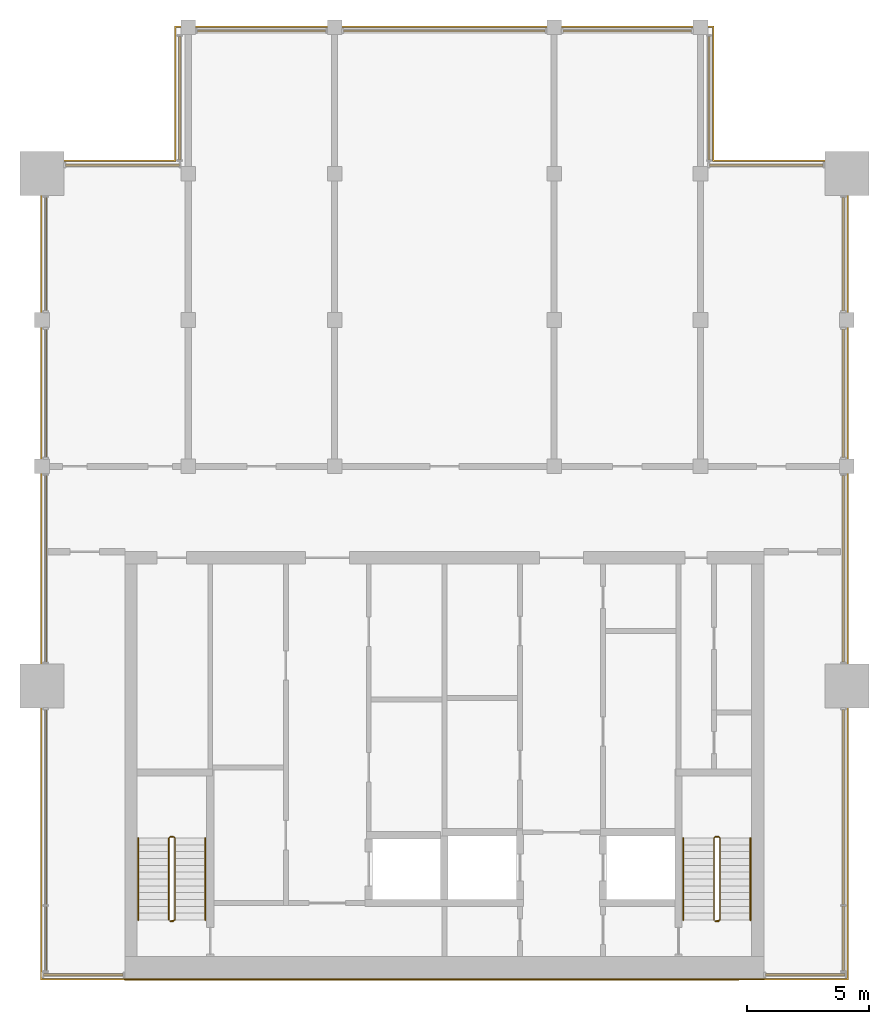
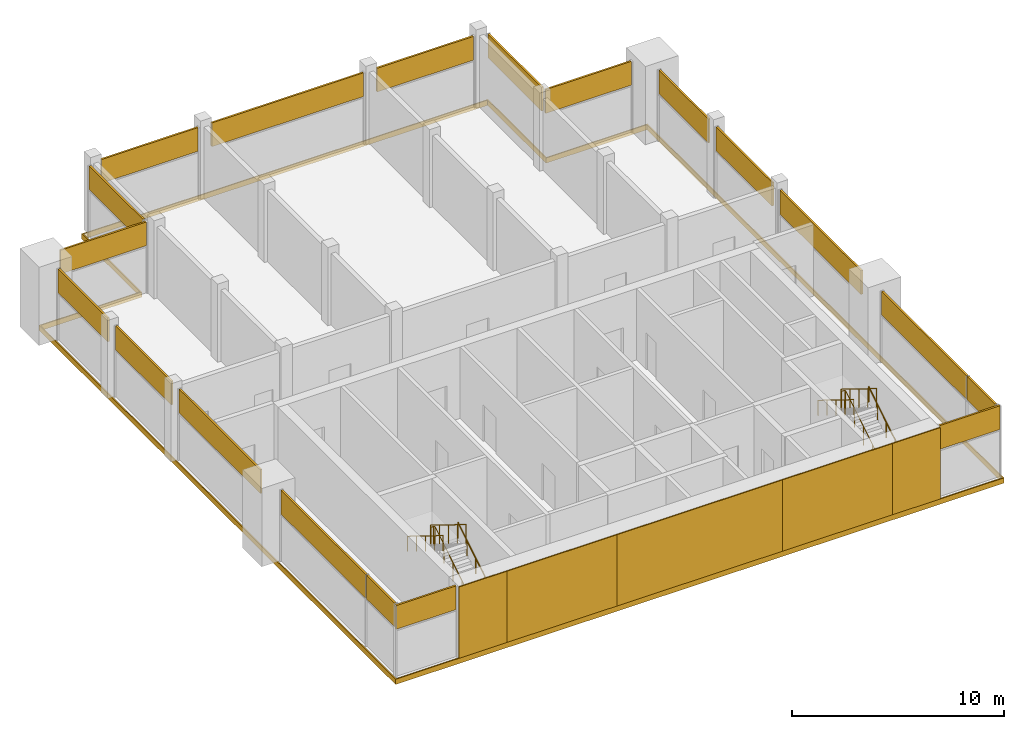
# One storey, part 9 of 9: 19 shading devices, 6 coverings, 6 railings, 17 elements without a shape of their own.
"""IFC4 building model written with IfcOpenShell, lengths in metres."""

from ifc_helpers import new_model, si_unit, direction, frame, origin, origin_2d, place, context, subcontext, project, spatial, polyline, rectangle, circle, outline, extrude, material, layer, layer_set, type_object, element, aggregate, save


model = new_model("IFC4")

# Units and contexts
model_context = context("Model", 3, precision=1e-05, world=origin(), true_north=direction((0.0, 1.0)))
body_context = subcontext(model_context, "Body", "Model", "MODEL_VIEW")
ifc_project = project(units=[si_unit("LENGTHUNIT", "METRE"), si_unit("AREAUNIT", "SQUARE_METRE"), si_unit("VOLUMEUNIT", "CUBIC_METRE"), si_unit("PLANEANGLEUNIT", "RADIAN"), si_unit("MASSUNIT", "GRAM", prefix="KILO")], contexts=[model_context])

# Site, building, storey
site_placement = place(None, origin())
site = spatial("IfcSite", under=ifc_project, at=site_placement, CompositionType="ELEMENT")
building_placement = place(site_placement, origin())
building = spatial("IfcBuilding", under=site, at=building_placement, Name="Finial Court Residences", CompositionType="ELEMENT")
storey_placement = place(building_placement, frame((0.0, 0.0, 307.699951171875)))
storey = spatial("IfcBuildingStorey", under=building, at=storey_placement, Name="L78", CompositionType="ELEMENT", Elevation=307.699951171875)

# Curtain wall, shading device
ifc_material_1 = material(Name="Bronze anodised aluminium", Category="aluminium")
curtain_wall_type = type_object("IfcCurtainWallType", Name="Crown lantern glazing", PredefinedType="NOTDEFINED", material=ifc_material_1)
curtain_wall_1_placement = place(storey_placement, origin())
curtain_wall_1 = element("IfcCurtainWall", 1, at=curtain_wall_1_placement, inside=storey, type_object=curtain_wall_type, Name="E-L78-CW-N1c1", PredefinedType="NOTDEFINED")
ifc_layer_1 = layer(ifc_material_1, 0.10009765625)
ifc_layer_set_1 = layer_set([ifc_layer_1], Name="CW6 louvre panel 100")
shading_device_type = type_object("IfcShadingDeviceType", Name="CW6 louvre panel 100", PredefinedType="USERDEFINED", material=ifc_layer_set_1)
shading_device_1_placement = place(storey_placement, frame((-7.5, 13.35009765625, 2.73486328125), z_axis=(0.0, 0.0, 1.0), x_axis=(1.0, 0.0, 0.0)))
shading_device_1 = element("IfcShadingDevice", 2, at=shading_device_1_placement, type_object=shading_device_type, Name="CW6 louvre 1.2", ObjectType="LOUVRE", PredefinedType="USERDEFINED", context=body_context, shape_type="SweptSolid", body=[
    extrude(rectangle(XDim=5.260009765625, YDim=0.10009765625, at=origin_2d()), origin(), (0.0, 0.0, 1.0), 1.364990234375),
])
aggregate(curtain_wall_1, [shading_device_1])

curtain_wall_2_placement = place(storey_placement, origin())
curtain_wall_2 = element("IfcCurtainWall", 3, at=curtain_wall_2_placement, inside=storey, type_object=curtain_wall_type, Name="E-L78-CW-N1c2", PredefinedType="NOTDEFINED")
shading_device_2_placement = place(storey_placement, frame((0.0, 13.35009765625, 2.73486328125), z_axis=(0.0, 0.0, 1.0), x_axis=(1.0, 0.0, 0.0)))
shading_device_2 = element("IfcShadingDevice", 4, at=shading_device_2_placement, type_object=shading_device_type, Name="CW6 louvre 1.2", ObjectType="LOUVRE", PredefinedType="USERDEFINED", context=body_context, shape_type="SweptSolid", body=[
    extrude(rectangle(XDim=8.260009765625, YDim=0.10009765625, at=origin_2d()), origin(), (0.0, 0.0, 1.0), 1.364990234375),
])
aggregate(curtain_wall_2, [shading_device_2])

curtain_wall_3_placement = place(storey_placement, origin())
curtain_wall_3 = element("IfcCurtainWall", 5, at=curtain_wall_3_placement, inside=storey, type_object=curtain_wall_type, Name="E-L78-CW-N1c3", PredefinedType="NOTDEFINED")
shading_device_3_placement = place(storey_placement, frame((7.5, 13.35009765625, 2.73486328125), z_axis=(0.0, 0.0, 1.0), x_axis=(1.0, 0.0, 0.0)))
shading_device_3 = element("IfcShadingDevice", 6, at=shading_device_3_placement, type_object=shading_device_type, Name="CW6 louvre 1.2", ObjectType="LOUVRE", PredefinedType="USERDEFINED", context=body_context, shape_type="SweptSolid", body=[
    extrude(rectangle(XDim=5.260009765625, YDim=0.10009765625, at=origin_2d()), origin(), (0.0, 0.0, 1.0), 1.364990234375),
])
aggregate(curtain_wall_3, [shading_device_3])

# Curtain wall, shading devices
curtain_wall_4_placement = place(storey_placement, origin())
curtain_wall_4 = element("IfcCurtainWall", 7, at=curtain_wall_4_placement, inside=storey, type_object=curtain_wall_type, Name="E-L78-CW-E2c1", PredefinedType="NOTDEFINED")
shading_device_4_placement = place(storey_placement, frame((16.35009765625, -23.857421875, 2.73486328125), z_axis=(0.0, 0.0, 1.0), x_axis=(0.0, 1.0, 0.0)))
shading_device_4 = element("IfcShadingDevice", 8, at=shading_device_4_placement, type_object=shading_device_type, Name="CW6 louvre 1.2", ObjectType="LOUVRE", PredefinedType="USERDEFINED", context=body_context, shape_type="SweptSolid", body=[
    extrude(rectangle(XDim=2.64501953125, YDim=0.10009765625, at=origin_2d()), origin(), (0.0, 0.0, 1.0), 1.364990234375),
])
shading_device_5_placement = place(storey_placement, frame((16.35009765625, -18.467529296875, 2.73486328125), z_axis=(0.0, 0.0, 1.0), x_axis=(0.0, 1.0, 0.0)))
shading_device_5 = element("IfcShadingDevice", 9, at=shading_device_5_placement, type_object=shading_device_type, Name="CW6 louvre 2.2", ObjectType="LOUVRE", PredefinedType="USERDEFINED", context=body_context, shape_type="SweptSolid", body=[
    extrude(rectangle(XDim=7.9951171875, YDim=0.10009765625, at=origin_2d()), origin(), (0.0, 0.0, 1.0), 1.364990234375),
])
aggregate(curtain_wall_4, [shading_device_4, shading_device_5])

# Curtain wall, shading device
curtain_wall_5_placement = place(storey_placement, origin())
curtain_wall_5 = element("IfcCurtainWall", 10, at=curtain_wall_5_placement, inside=storey, type_object=curtain_wall_type, Name="E-L78-CW-E2c2", PredefinedType="NOTDEFINED")
shading_device_6_placement = place(storey_placement, frame((16.35009765625, -8.699951171875, 2.73486328125), z_axis=(0.0, 0.0, 1.0), x_axis=(0.0, 1.0, 0.0)))
shading_device_6 = element("IfcShadingDevice", 11, at=shading_device_6_placement, type_object=shading_device_type, Name="CW6 louvre 1.2", ObjectType="LOUVRE", PredefinedType="USERDEFINED", context=body_context, shape_type="SweptSolid", body=[
    extrude(rectangle(XDim=7.659912109375, YDim=0.10009765625, at=origin_2d()), origin(), (0.0, 0.0, 1.0), 1.364990234375),
])
aggregate(curtain_wall_5, [shading_device_6])

curtain_wall_6_placement = place(storey_placement, origin())
curtain_wall_6 = element("IfcCurtainWall", 12, at=curtain_wall_6_placement, inside=storey, type_object=curtain_wall_type, Name="E-L78-CW-E2c3", PredefinedType="NOTDEFINED")
shading_device_7_placement = place(storey_placement, frame((16.35009765625, -1.5, 2.73486328125), z_axis=(0.0, 0.0, 1.0), x_axis=(0.0, 1.0, 0.0)))
shading_device_7 = element("IfcShadingDevice", 13, at=shading_device_7_placement, type_object=shading_device_type, Name="CW6 louvre 1.2", ObjectType="LOUVRE", PredefinedType="USERDEFINED", context=body_context, shape_type="SweptSolid", body=[
    extrude(rectangle(XDim=5.260009765625, YDim=0.10009765625, at=origin_2d()), origin(), (0.0, 0.0, 1.0), 1.364990234375),
])
aggregate(curtain_wall_6, [shading_device_7])

curtain_wall_7_placement = place(storey_placement, origin())
curtain_wall_7 = element("IfcCurtainWall", 14, at=curtain_wall_7_placement, inside=storey, type_object=curtain_wall_type, Name="E-L78-CW-E2c4", PredefinedType="NOTDEFINED")
shading_device_8_placement = place(storey_placement, frame((16.35009765625, 4.199951171875, 2.73486328125), z_axis=(0.0, 0.0, 1.0), x_axis=(0.0, 1.0, 0.0)))
shading_device_8 = element("IfcShadingDevice", 15, at=shading_device_8_placement, type_object=shading_device_type, Name="CW6 louvre 1.2", ObjectType="LOUVRE", PredefinedType="USERDEFINED", context=body_context, shape_type="SweptSolid", body=[
    extrude(rectangle(XDim=4.659912109375, YDim=0.10009765625, at=origin_2d()), origin(), (0.0, 0.0, 1.0), 1.364990234375),
])
aggregate(curtain_wall_7, [shading_device_8])

curtain_wall_8_placement = place(storey_placement, origin())
curtain_wall_8 = element("IfcCurtainWall", 16, at=curtain_wall_8_placement, inside=storey, type_object=curtain_wall_type, Name="E-L78-CW-S3", PredefinedType="NOTDEFINED")
shading_device_9_placement = place(storey_placement, frame((-14.800048828125, -25.35009765625, 2.73486328125), z_axis=(0.0, 0.0, 1.0), x_axis=(1.0, 0.0, 0.0)))
shading_device_9 = element("IfcShadingDevice", 17, at=shading_device_9_placement, type_object=shading_device_type, Name="CW6 louvre 1.2", ObjectType="LOUVRE", PredefinedType="USERDEFINED", context=body_context, shape_type="SweptSolid", body=[
    extrude(rectangle(XDim=3.260009765625, YDim=0.10009765625, at=origin_2d()), origin(), (0.0, 0.0, 1.0), 1.364990234375),
])
aggregate(curtain_wall_8, [shading_device_9])

curtain_wall_9_placement = place(storey_placement, origin())
curtain_wall_9 = element("IfcCurtainWall", 18, at=curtain_wall_9_placement, inside=storey, type_object=curtain_wall_type, Name="E-L78-CW-S4", PredefinedType="NOTDEFINED")
shading_device_10_placement = place(storey_placement, frame((14.800048828125, -25.35009765625, 2.73486328125), z_axis=(0.0, 0.0, 1.0), x_axis=(1.0, 0.0, 0.0)))
shading_device_10 = element("IfcShadingDevice", 19, at=shading_device_10_placement, type_object=shading_device_type, Name="CW6 louvre 1.2", ObjectType="LOUVRE", PredefinedType="USERDEFINED", context=body_context, shape_type="SweptSolid", body=[
    extrude(rectangle(XDim=3.260009765625, YDim=0.10009765625, at=origin_2d()), origin(), (0.0, 0.0, 1.0), 1.364990234375),
])
aggregate(curtain_wall_9, [shading_device_10])

# Curtain wall, shading devices
curtain_wall_10_placement = place(storey_placement, origin())
curtain_wall_10 = element("IfcCurtainWall", 20, at=curtain_wall_10_placement, inside=storey, type_object=curtain_wall_type, Name="E-L78-CW-W5c1", PredefinedType="NOTDEFINED")
shading_device_11_placement = place(storey_placement, frame((-16.35009765625, -23.857421875, 2.73486328125), z_axis=(0.0, 0.0, 1.0), x_axis=(0.0, 1.0, 0.0)))
shading_device_11 = element("IfcShadingDevice", 21, at=shading_device_11_placement, type_object=shading_device_type, Name="CW6 louvre 1.2", ObjectType="LOUVRE", PredefinedType="USERDEFINED", context=body_context, shape_type="SweptSolid", body=[
    extrude(rectangle(XDim=2.64501953125, YDim=0.10009765625, at=origin_2d()), origin(), (0.0, 0.0, 1.0), 1.364990234375),
])
shading_device_12_placement = place(storey_placement, frame((-16.35009765625, -18.467529296875, 2.73486328125), z_axis=(0.0, 0.0, 1.0), x_axis=(0.0, 1.0, 0.0)))
shading_device_12 = element("IfcShadingDevice", 22, at=shading_device_12_placement, type_object=shading_device_type, Name="CW6 louvre 2.2", ObjectType="LOUVRE", PredefinedType="USERDEFINED", context=body_context, shape_type="SweptSolid", body=[
    extrude(rectangle(XDim=7.9951171875, YDim=0.10009765625, at=origin_2d()), origin(), (0.0, 0.0, 1.0), 1.364990234375),
])
aggregate(curtain_wall_10, [shading_device_11, shading_device_12])

# Curtain wall, shading device
curtain_wall_11_placement = place(storey_placement, origin())
curtain_wall_11 = element("IfcCurtainWall", 23, at=curtain_wall_11_placement, inside=storey, type_object=curtain_wall_type, Name="E-L78-CW-W5c2", PredefinedType="NOTDEFINED")
shading_device_13_placement = place(storey_placement, frame((-16.35009765625, -8.699951171875, 2.73486328125), z_axis=(0.0, 0.0, 1.0), x_axis=(0.0, 1.0, 0.0)))
shading_device_13 = element("IfcShadingDevice", 24, at=shading_device_13_placement, type_object=shading_device_type, Name="CW6 louvre 1.2", ObjectType="LOUVRE", PredefinedType="USERDEFINED", context=body_context, shape_type="SweptSolid", body=[
    extrude(rectangle(XDim=7.659912109375, YDim=0.10009765625, at=origin_2d()), origin(), (0.0, 0.0, 1.0), 1.364990234375),
])
aggregate(curtain_wall_11, [shading_device_13])

curtain_wall_12_placement = place(storey_placement, origin())
curtain_wall_12 = element("IfcCurtainWall", 25, at=curtain_wall_12_placement, inside=storey, type_object=curtain_wall_type, Name="E-L78-CW-W5c3", PredefinedType="NOTDEFINED")
shading_device_14_placement = place(storey_placement, frame((-16.35009765625, -1.5, 2.73486328125), z_axis=(0.0, 0.0, 1.0), x_axis=(0.0, 1.0, 0.0)))
shading_device_14 = element("IfcShadingDevice", 26, at=shading_device_14_placement, type_object=shading_device_type, Name="CW6 louvre 1.2", ObjectType="LOUVRE", PredefinedType="USERDEFINED", context=body_context, shape_type="SweptSolid", body=[
    extrude(rectangle(XDim=5.260009765625, YDim=0.10009765625, at=origin_2d()), origin(), (0.0, 0.0, 1.0), 1.364990234375),
])
aggregate(curtain_wall_12, [shading_device_14])

curtain_wall_13_placement = place(storey_placement, origin())
curtain_wall_13 = element("IfcCurtainWall", 27, at=curtain_wall_13_placement, inside=storey, type_object=curtain_wall_type, Name="E-L78-CW-W5c4", PredefinedType="NOTDEFINED")
shading_device_15_placement = place(storey_placement, frame((-16.35009765625, 4.199951171875, 2.73486328125), z_axis=(0.0, 0.0, 1.0), x_axis=(0.0, 1.0, 0.0)))
shading_device_15 = element("IfcShadingDevice", 28, at=shading_device_15_placement, type_object=shading_device_type, Name="CW6 louvre 1.2", ObjectType="LOUVRE", PredefinedType="USERDEFINED", context=body_context, shape_type="SweptSolid", body=[
    extrude(rectangle(XDim=4.659912109375, YDim=0.10009765625, at=origin_2d()), origin(), (0.0, 0.0, 1.0), 1.364990234375),
])
aggregate(curtain_wall_13, [shading_device_15])

curtain_wall_14_placement = place(storey_placement, origin())
curtain_wall_14 = element("IfcCurtainWall", 29, at=curtain_wall_14_placement, inside=storey, type_object=curtain_wall_type, Name="E-L78-CW-W6nc1", PredefinedType="NOTDEFINED")
shading_device_16_placement = place(storey_placement, frame((-10.85009765625, 10.60009765625, 2.73486328125), z_axis=(0.0, 0.0, 1.0), x_axis=(0.0, 1.0, 0.0)))
shading_device_16 = element("IfcShadingDevice", 30, at=shading_device_16_placement, type_object=shading_device_type, Name="CW6 louvre 1.2", ObjectType="LOUVRE", PredefinedType="USERDEFINED", context=body_context, shape_type="SweptSolid", body=[
    extrude(rectangle(XDim=5.06005859375, YDim=0.10009765625, at=origin_2d()), origin(), (0.0, 0.0, 1.0), 1.364990234375),
])
aggregate(curtain_wall_14, [shading_device_16])

curtain_wall_15_placement = place(storey_placement, origin())
curtain_wall_15 = element("IfcCurtainWall", 31, at=curtain_wall_15_placement, inside=storey, type_object=curtain_wall_type, Name="E-L78-CW-N7nc1", PredefinedType="NOTDEFINED")
shading_device_17_placement = place(storey_placement, frame((-13.199951171875, 7.85009765625, 2.73486328125), z_axis=(0.0, 0.0, 1.0), x_axis=(1.0, 0.0, 0.0)))
shading_device_17 = element("IfcShadingDevice", 32, at=shading_device_17_placement, type_object=shading_device_type, Name="CW6 louvre 1.2", ObjectType="LOUVRE", PredefinedType="USERDEFINED", context=body_context, shape_type="SweptSolid", body=[
    extrude(rectangle(XDim=4.659912109375, YDim=0.10009765625, at=origin_2d()), origin(), (0.0, 0.0, 1.0), 1.364990234375),
])
aggregate(curtain_wall_15, [shading_device_17])

curtain_wall_16_placement = place(storey_placement, origin())
curtain_wall_16 = element("IfcCurtainWall", 33, at=curtain_wall_16_placement, inside=storey, type_object=curtain_wall_type, Name="E-L78-CW-E8nc1", PredefinedType="NOTDEFINED")
shading_device_18_placement = place(storey_placement, frame((10.85009765625, 10.60009765625, 2.73486328125), z_axis=(0.0, 0.0, 1.0), x_axis=(0.0, 1.0, 0.0)))
shading_device_18 = element("IfcShadingDevice", 34, at=shading_device_18_placement, type_object=shading_device_type, Name="CW6 louvre 1.2", ObjectType="LOUVRE", PredefinedType="USERDEFINED", context=body_context, shape_type="SweptSolid", body=[
    extrude(rectangle(XDim=5.06005859375, YDim=0.10009765625, at=origin_2d()), origin(), (0.0, 0.0, 1.0), 1.364990234375),
])
aggregate(curtain_wall_16, [shading_device_18])

curtain_wall_17_placement = place(storey_placement, origin())
curtain_wall_17 = element("IfcCurtainWall", 35, at=curtain_wall_17_placement, inside=storey, type_object=curtain_wall_type, Name="E-L78-CW-N9nc1", PredefinedType="NOTDEFINED")
shading_device_19_placement = place(storey_placement, frame((13.199951171875, 7.85009765625, 2.73486328125), z_axis=(0.0, 0.0, 1.0), x_axis=(1.0, 0.0, 0.0)))
shading_device_19 = element("IfcShadingDevice", 36, at=shading_device_19_placement, type_object=shading_device_type, Name="CW6 louvre 1.2", ObjectType="LOUVRE", PredefinedType="USERDEFINED", context=body_context, shape_type="SweptSolid", body=[
    extrude(rectangle(XDim=4.659912109375, YDim=0.10009765625, at=origin_2d()), origin(), (0.0, 0.0, 1.0), 1.364990234375),
])
aggregate(curtain_wall_17, [shading_device_19])

# Coverings
ifc_material_2 = material(Name="Natural limestone", Category="masonry")
ifc_layer_2 = layer(ifc_material_2, 0.06005859375)
ifc_layer_set_2 = layer_set([ifc_layer_2], Name="Limestone cladding to the blind core face 60")
covering_type_1 = type_object("IfcCoveringType", Name="Limestone cladding to the blind core face 60", PredefinedType="CLADDING", material=ifc_layer_set_2)
covering_1_placement = place(storey_placement, origin())
element("IfcCovering", 37, at=covering_1_placement, inside=storey, type_object=covering_type_1, Name="E-L78-CLAD1", PredefinedType="CLADDING", context=body_context, shape_type="SweptSolid", body=[
    extrude(outline(polyline([(-10.5, -25.56005859375), (-10.5, -25.5), (-13.10009765625, -25.5), (-13.10009765625, -25.56005859375), (-10.5, -25.56005859375)])), origin(), (0.0, 0.0, 1.0), 4.10009765625),
])
covering_2_placement = place(storey_placement, origin())
element("IfcCovering", 38, at=covering_2_placement, inside=storey, type_object=covering_type_1, Name="E-L78-CLAD2", PredefinedType="CLADDING", context=body_context, shape_type="SweptSolid", body=[
    extrude(outline(polyline([(-4.5, -25.56005859375), (-4.5, -25.5), (-10.5, -25.5), (-10.5, -25.56005859375), (-4.5, -25.56005859375)])), origin(), (0.0, 0.0, 1.0), 4.10009765625),
])
covering_3_placement = place(storey_placement, origin())
element("IfcCovering", 39, at=covering_3_placement, inside=storey, type_object=covering_type_1, Name="E-L78-CLAD3", PredefinedType="CLADDING", context=body_context, shape_type="SweptSolid", body=[
    extrude(outline(polyline([(4.5, -25.56005859375), (4.5, -25.5), (-4.5, -25.5), (-4.5, -25.56005859375), (4.5, -25.56005859375)])), origin(), (0.0, 0.0, 1.0), 4.10009765625),
])
covering_4_placement = place(storey_placement, origin())
element("IfcCovering", 40, at=covering_4_placement, inside=storey, type_object=covering_type_1, Name="E-L78-CLAD4", PredefinedType="CLADDING", context=body_context, shape_type="SweptSolid", body=[
    extrude(outline(polyline([(10.5, -25.56005859375), (10.5, -25.5), (4.5, -25.5), (4.5, -25.56005859375), (10.5, -25.56005859375)])), origin(), (0.0, 0.0, 1.0), 4.10009765625),
])
covering_5_placement = place(storey_placement, origin())
element("IfcCovering", 41, at=covering_5_placement, inside=storey, type_object=covering_type_1, Name="E-L78-CLAD5", PredefinedType="CLADDING", context=body_context, shape_type="SweptSolid", body=[
    extrude(outline(polyline([(13.10009765625, -25.56005859375), (13.10009765625, -25.5), (10.5, -25.5), (10.5, -25.56005859375), (13.10009765625, -25.56005859375)])), origin(), (0.0, 0.0, 1.0), 4.10009765625),
])
ifc_material_3 = material(Name="Pale limestone", Category="masonry")
ifc_layer_3 = layer(ifc_material_3, 0.06005859375)
ifc_layer_set_3 = layer_set([ifc_layer_3], Name="Pale limestone slab-edge band 60")
covering_type_2 = type_object("IfcCoveringType", Name="Pale limestone slab-edge band 60", PredefinedType="CLADDING", material=ifc_layer_set_3)
covering_6_placement = place(storey_placement, frame((0.0, 0.0, -0.300048828125)))
element("IfcCovering", 42, at=covering_6_placement, inside=storey, type_object=covering_type_2, Name="E-L78-BAND1", PredefinedType="CLADDING", context=body_context, shape_type="SweptSolid", body=[
    extrude(outline(polyline([(-16.56005859375, -25.56005859375), (-16.56005859375, 8.06005859375), (-11.06005859375, 8.06005859375), (-11.06005859375, 13.56005859375), (11.06005859375, 13.56005859375), (11.06005859375, 8.06005859375), (16.56005859375, 8.06005859375), (16.56005859375, -25.56005859375), (-16.56005859375, -25.56005859375)]), holes=[polyline([(16.5, 8.0), (11.0, 8.0), (11.0, 13.5), (-11.0, 13.5), (-11.0, 8.0), (-16.5, 8.0), (-16.5, -25.5), (16.5, -25.5), (16.5, 8.0)])]), origin(), (0.0, 0.0, 1.0), 0.300048828125),
])

# Railings
ifc_material_4 = material(Name="Stainless steel railing", Category="steel")
railing_type_1 = type_object("IfcRailingType", Name="Stair guard 1100", PredefinedType="GUARDRAIL", material=ifc_material_4)
railing_1_placement = place(storey_placement, frame((-11.10009765625, -23.14990234375, 0.0)))
element("IfcRailing", 43, at=railing_1_placement, inside=storey, type_object=railing_type_1, Name="L78 ST-1 stair guard 1", PredefinedType="GUARDRAIL", context=body_context, shape_type="SweptSolid", body=[
    extrude(circle(Radius=0.02392578125, at=origin_2d()), frame((0.0, 0.0, 1.076171875), z_axis=(-1.0, 0.0, 0.0), x_axis=(0.0, -1.0, 0.0)), (0.0, 0.0, 1.0), 0.14990234375),
    extrude(circle(Radius=0.02392578125, at=origin_2d()), frame((-0.14990234375, 0.0, 1.076171875), z_axis=(0.742994154839, 0.185068141132, 0.643202510111), x_axis=(-0.241699205484, 0.970351222016, 0.0)), (0.0, 0.0, 1.0), 0.26904296875),
    extrude(circle(Radius=0.02392578125, at=origin_2d()), frame((0.050048828125, 0.0498046875, 1.2490234375), z_axis=(0.0, 0.850623216509, 0.525775754039), x_axis=(-1.0, 0.0, 0.0)), (0.0, 0.0, 1.0), 3.9501953125),
    extrude(circle(Radius=0.02392578125, at=origin_2d()), frame((0.050048828125, 3.409912109375, 3.326171875), z_axis=(-0.707106781187, 0.707106781187, 0.0), x_axis=(-0.707106781187, -0.707106781187, 0.0)), (0.0, 0.0, 1.0), 0.07080078125),
    extrude(circle(Radius=0.02392578125, at=origin_2d()), frame((0.0, 3.4599609375, 3.326171875), z_axis=(-1.0, 0.0, 0.0), x_axis=(0.0, -1.0, 0.0)), (0.0, 0.0, 1.0), 0.14990234375),
    extrude(circle(Radius=0.02392578125, at=origin_2d()), frame((-0.14990234375, 3.4599609375, 3.326171875), z_axis=(-0.267629722418, -0.267629722418, 0.925607186314), x_axis=(0.707106781187, -0.707106781187, 0.0)), (0.0, 0.0, 1.0), 0.18701171875),
    extrude(circle(Radius=0.02392578125, at=origin_2d()), frame((-0.199951171875, 3.409912109375, 3.4990234375), z_axis=(0.0, -0.850623216509, 0.525775754039), x_axis=(1.0, 0.0, 0.0)), (0.0, 0.0, 1.0), 3.9501953125),
    extrude(circle(Radius=0.02099609375, at=origin_2d()), origin(), (0.0, 0.0, 1.0), 1.052001953125),
    extrude(circle(Radius=0.02099609375, at=origin_2d()), frame((-0.14990234375, 0.0, 0.0)), (0.0, 0.0, 1.0), 1.052001953125),
    extrude(circle(Radius=0.02099609375, at=origin_2d()), frame((0.050048828125, 0.0498046875, 0.173095703125)), (0.0, 0.0, 1.0), 1.052001953125),
    extrude(circle(Radius=0.02099609375, at=origin_2d()), frame((0.050048828125, 0.889892578125, 0.6923828125)), (0.0, 0.0, 1.0), 1.052001953125),
    extrude(circle(Radius=0.02099609375, at=origin_2d()), frame((0.050048828125, 1.72998046875, 1.21142578125)), (0.0, 0.0, 1.0), 1.052001953125),
    extrude(circle(Radius=0.02099609375, at=origin_2d()), frame((0.050048828125, 2.56982421875, 1.730712890625)), (0.0, 0.0, 1.0), 1.052001953125),
    extrude(circle(Radius=0.02099609375, at=origin_2d()), frame((0.050048828125, 3.409912109375, 2.25)), (0.0, 0.0, 1.0), 1.052001953125),
    extrude(circle(Radius=0.02099609375, at=origin_2d()), frame((0.0, 3.4599609375, 2.25)), (0.0, 0.0, 1.0), 1.052001953125),
    extrude(circle(Radius=0.02099609375, at=origin_2d()), frame((-0.14990234375, 3.4599609375, 2.25)), (0.0, 0.0, 1.0), 1.052001953125),
    extrude(circle(Radius=0.02099609375, at=origin_2d()), frame((-0.199951171875, 3.409912109375, 2.423095703125)), (0.0, 0.0, 1.0), 1.052001953125),
    extrude(circle(Radius=0.02099609375, at=origin_2d()), frame((-0.199951171875, 2.56982421875, 2.9423828125)), (0.0, 0.0, 1.0), 1.052001953125),
    extrude(circle(Radius=0.02099609375, at=origin_2d()), frame((-0.199951171875, 1.72998046875, 3.46142578125)), (0.0, 0.0, 1.0), 1.052001953125),
    extrude(circle(Radius=0.02099609375, at=origin_2d()), frame((-0.199951171875, 0.889892578125, 3.980712890625)), (0.0, 0.0, 1.0), 1.052001953125),
    extrude(circle(Radius=0.02099609375, at=origin_2d()), frame((-0.199951171875, 0.0498046875, 4.5)), (0.0, 0.0, 1.0), 1.052001953125),
])
railing_2_placement = place(storey_placement, frame((11.25, -23.14990234375, 0.0)))
element("IfcRailing", 44, at=railing_2_placement, inside=storey, type_object=railing_type_1, Name="L78 ST-2 stair guard 1", PredefinedType="GUARDRAIL", context=body_context, shape_type="SweptSolid", body=[
    extrude(circle(Radius=0.02392578125, at=origin_2d()), frame((0.0, 0.0, 1.076171875), z_axis=(-1.0, 0.0, 0.0), x_axis=(0.0, -1.0, 0.0)), (0.0, 0.0, 1.0), 0.14990234375),
    extrude(circle(Radius=0.02392578125, at=origin_2d()), frame((-0.14990234375, 0.0, 1.076171875), z_axis=(0.742994154839, 0.185068141132, 0.643202510111), x_axis=(-0.241699205484, 0.970351222016, 0.0)), (0.0, 0.0, 1.0), 0.26904296875),
    extrude(circle(Radius=0.02392578125, at=origin_2d()), frame((0.050048828125, 0.0498046875, 1.2490234375), z_axis=(0.0, 0.850623216509, 0.525775754039), x_axis=(-1.0, 0.0, 0.0)), (0.0, 0.0, 1.0), 3.9501953125),
    extrude(circle(Radius=0.02392578125, at=origin_2d()), frame((0.050048828125, 3.409912109375, 3.326171875), z_axis=(-0.707106781187, 0.707106781187, 0.0), x_axis=(-0.707106781187, -0.707106781187, 0.0)), (0.0, 0.0, 1.0), 0.07080078125),
    extrude(circle(Radius=0.02392578125, at=origin_2d()), frame((0.0, 3.4599609375, 3.326171875), z_axis=(-1.0, 0.0, 0.0), x_axis=(0.0, -1.0, 0.0)), (0.0, 0.0, 1.0), 0.14990234375),
    extrude(circle(Radius=0.02392578125, at=origin_2d()), frame((-0.14990234375, 3.4599609375, 3.326171875), z_axis=(-0.267629722418, -0.267629722418, 0.925607186314), x_axis=(0.707106781187, -0.707106781187, 0.0)), (0.0, 0.0, 1.0), 0.18701171875),
    extrude(circle(Radius=0.02392578125, at=origin_2d()), frame((-0.199951171875, 3.409912109375, 3.4990234375), z_axis=(0.0, -0.850623216509, 0.525775754039), x_axis=(1.0, 0.0, 0.0)), (0.0, 0.0, 1.0), 3.9501953125),
    extrude(circle(Radius=0.02099609375, at=origin_2d()), origin(), (0.0, 0.0, 1.0), 1.052001953125),
    extrude(circle(Radius=0.02099609375, at=origin_2d()), frame((-0.14990234375, 0.0, 0.0)), (0.0, 0.0, 1.0), 1.052001953125),
    extrude(circle(Radius=0.02099609375, at=origin_2d()), frame((0.050048828125, 0.0498046875, 0.173095703125)), (0.0, 0.0, 1.0), 1.052001953125),
    extrude(circle(Radius=0.02099609375, at=origin_2d()), frame((0.050048828125, 0.889892578125, 0.6923828125)), (0.0, 0.0, 1.0), 1.052001953125),
    extrude(circle(Radius=0.02099609375, at=origin_2d()), frame((0.050048828125, 1.72998046875, 1.21142578125)), (0.0, 0.0, 1.0), 1.052001953125),
    extrude(circle(Radius=0.02099609375, at=origin_2d()), frame((0.050048828125, 2.56982421875, 1.730712890625)), (0.0, 0.0, 1.0), 1.052001953125),
    extrude(circle(Radius=0.02099609375, at=origin_2d()), frame((0.050048828125, 3.409912109375, 2.25)), (0.0, 0.0, 1.0), 1.052001953125),
    extrude(circle(Radius=0.02099609375, at=origin_2d()), frame((0.0, 3.4599609375, 2.25)), (0.0, 0.0, 1.0), 1.052001953125),
    extrude(circle(Radius=0.02099609375, at=origin_2d()), frame((-0.14990234375, 3.4599609375, 2.25)), (0.0, 0.0, 1.0), 1.052001953125),
    extrude(circle(Radius=0.02099609375, at=origin_2d()), frame((-0.199951171875, 3.409912109375, 2.423095703125)), (0.0, 0.0, 1.0), 1.052001953125),
    extrude(circle(Radius=0.02099609375, at=origin_2d()), frame((-0.199951171875, 2.56982421875, 2.9423828125)), (0.0, 0.0, 1.0), 1.052001953125),
    extrude(circle(Radius=0.02099609375, at=origin_2d()), frame((-0.199951171875, 1.72998046875, 3.46142578125)), (0.0, 0.0, 1.0), 1.052001953125),
    extrude(circle(Radius=0.02099609375, at=origin_2d()), frame((-0.199951171875, 0.889892578125, 3.980712890625)), (0.0, 0.0, 1.0), 1.052001953125),
    extrude(circle(Radius=0.02099609375, at=origin_2d()), frame((-0.199951171875, 0.0498046875, 4.5)), (0.0, 0.0, 1.0), 1.052001953125),
])
railing_type_2 = type_object("IfcRailingType", Name="Stair handrail 900", PredefinedType="HANDRAIL", material=ifc_material_4)
railing_3_placement = place(storey_placement, frame((-9.800048828125, -23.10009765625, 0.173095703125)))
element("IfcRailing", 45, at=railing_3_placement, inside=storey, type_object=railing_type_2, Name="L78 ST-1 stair handrail 1", PredefinedType="HANDRAIL", context=body_context, shape_type="SweptSolid", body=[
    extrude(circle(Radius=0.02392578125, at=origin_2d()), frame((0.0, 0.0, 0.8759765625), z_axis=(0.0, 0.850623216509, 0.525775754039), x_axis=(-1.0, 0.0, 0.0)), (0.0, 0.0, 1.0), 3.9501953125),
    extrude(circle(Radius=0.02099609375, at=origin_2d()), origin(), (0.0, 0.0, 1.0), 0.851806640625),
    extrude(circle(Radius=0.02099609375, at=origin_2d()), frame((0.0, 0.840087890625, 0.519287109375)), (0.0, 0.0, 1.0), 0.851806640625),
    extrude(circle(Radius=0.02099609375, at=origin_2d()), frame((0.0, 1.68017578125, 1.03857421875)), (0.0, 0.0, 1.0), 0.851806640625),
    extrude(circle(Radius=0.02099609375, at=origin_2d()), frame((0.0, 2.52001953125, 1.5576171875)), (0.0, 0.0, 1.0), 0.851806640625),
    extrude(circle(Radius=0.02099609375, at=origin_2d()), frame((0.0, 3.360107421875, 2.076904296875)), (0.0, 0.0, 1.0), 0.851806640625),
])
railing_4_placement = place(storey_placement, frame((-12.550048828125, -19.739990234375, 2.423095703125)))
element("IfcRailing", 46, at=railing_4_placement, inside=storey, type_object=railing_type_2, Name="L78 ST-1 stair handrail 2", PredefinedType="HANDRAIL", context=body_context, shape_type="SweptSolid", body=[
    extrude(circle(Radius=0.02392578125, at=origin_2d()), frame((0.0, 0.0, 0.8759765625), z_axis=(0.0, -0.850623216509, 0.525775754039), x_axis=(1.0, 0.0, 0.0)), (0.0, 0.0, 1.0), 3.9501953125),
    extrude(circle(Radius=0.02099609375, at=origin_2d()), origin(), (0.0, 0.0, 1.0), 0.851806640625),
    extrude(circle(Radius=0.02099609375, at=origin_2d()), frame((0.0, -0.840087890625, 0.519287109375)), (0.0, 0.0, 1.0), 0.851806640625),
    extrude(circle(Radius=0.02099609375, at=origin_2d()), frame((0.0, -1.68017578125, 1.03857421875)), (0.0, 0.0, 1.0), 0.851806640625),
    extrude(circle(Radius=0.02099609375, at=origin_2d()), frame((0.0, -2.52001953125, 1.5576171875)), (0.0, 0.0, 1.0), 0.851806640625),
    extrude(circle(Radius=0.02099609375, at=origin_2d()), frame((0.0, -3.360107421875, 2.076904296875)), (0.0, 0.0, 1.0), 0.851806640625),
])
railing_5_placement = place(storey_placement, frame((12.550048828125, -23.10009765625, 0.173095703125)))
element("IfcRailing", 47, at=railing_5_placement, inside=storey, type_object=railing_type_2, Name="L78 ST-2 stair handrail 1", PredefinedType="HANDRAIL", context=body_context, shape_type="SweptSolid", body=[
    extrude(circle(Radius=0.02392578125, at=origin_2d()), frame((0.0, 0.0, 0.8759765625), z_axis=(0.0, 0.850623216509, 0.525775754039), x_axis=(-1.0, 0.0, 0.0)), (0.0, 0.0, 1.0), 3.9501953125),
    extrude(circle(Radius=0.02099609375, at=origin_2d()), origin(), (0.0, 0.0, 1.0), 0.851806640625),
    extrude(circle(Radius=0.02099609375, at=origin_2d()), frame((0.0, 0.840087890625, 0.519287109375)), (0.0, 0.0, 1.0), 0.851806640625),
    extrude(circle(Radius=0.02099609375, at=origin_2d()), frame((0.0, 1.68017578125, 1.03857421875)), (0.0, 0.0, 1.0), 0.851806640625),
    extrude(circle(Radius=0.02099609375, at=origin_2d()), frame((0.0, 2.52001953125, 1.5576171875)), (0.0, 0.0, 1.0), 0.851806640625),
    extrude(circle(Radius=0.02099609375, at=origin_2d()), frame((0.0, 3.360107421875, 2.076904296875)), (0.0, 0.0, 1.0), 0.851806640625),
])
railing_6_placement = place(storey_placement, frame((9.800048828125, -19.739990234375, 2.423095703125)))
element("IfcRailing", 48, at=railing_6_placement, inside=storey, type_object=railing_type_2, Name="L78 ST-2 stair handrail 2", PredefinedType="HANDRAIL", context=body_context, shape_type="SweptSolid", body=[
    extrude(circle(Radius=0.02392578125, at=origin_2d()), frame((0.0, 0.0, 0.8759765625), z_axis=(0.0, -0.850623216509, 0.525775754039), x_axis=(1.0, 0.0, 0.0)), (0.0, 0.0, 1.0), 3.9501953125),
    extrude(circle(Radius=0.02099609375, at=origin_2d()), origin(), (0.0, 0.0, 1.0), 0.851806640625),
    extrude(circle(Radius=0.02099609375, at=origin_2d()), frame((0.0, -0.840087890625, 0.519287109375)), (0.0, 0.0, 1.0), 0.851806640625),
    extrude(circle(Radius=0.02099609375, at=origin_2d()), frame((0.0, -1.68017578125, 1.03857421875)), (0.0, 0.0, 1.0), 0.851806640625),
    extrude(circle(Radius=0.02099609375, at=origin_2d()), frame((0.0, -2.52001953125, 1.5576171875)), (0.0, 0.0, 1.0), 0.851806640625),
    extrude(circle(Radius=0.02099609375, at=origin_2d()), frame((0.0, -3.360107421875, 2.076904296875)), (0.0, 0.0, 1.0), 0.851806640625),
])

save(model, "model.ifc")
